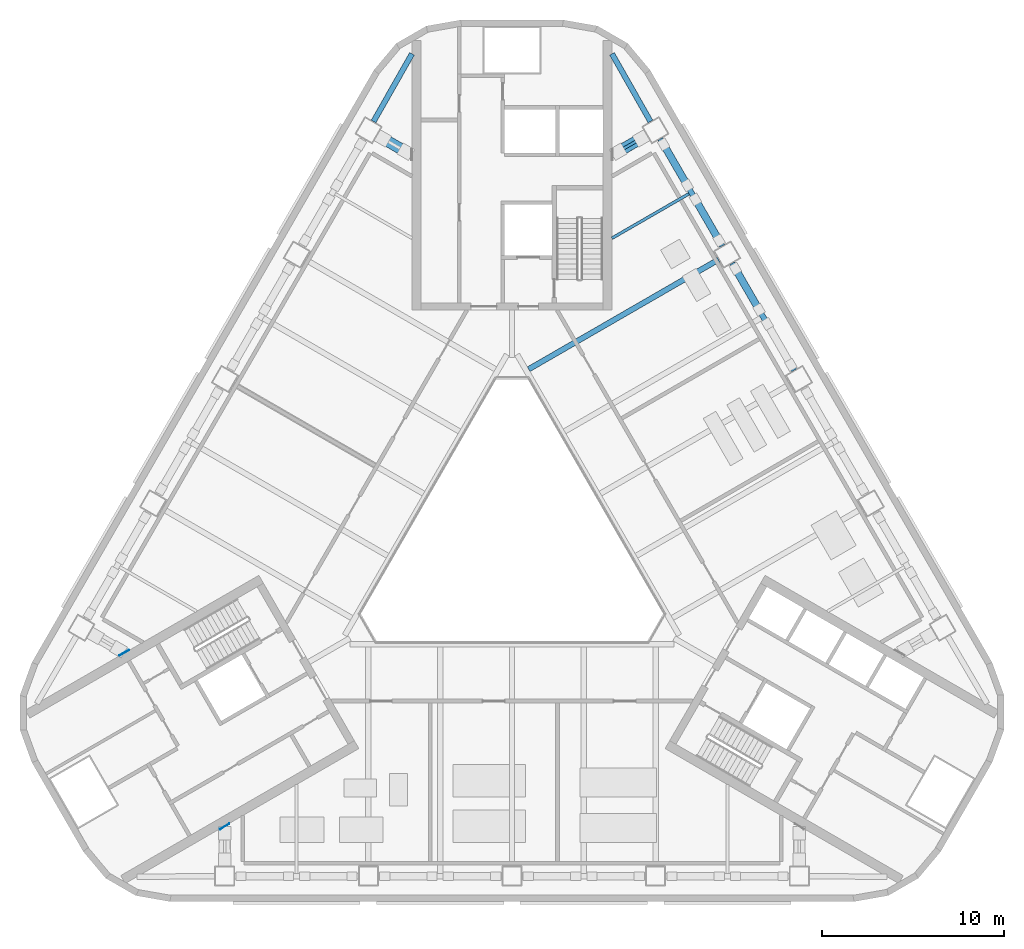
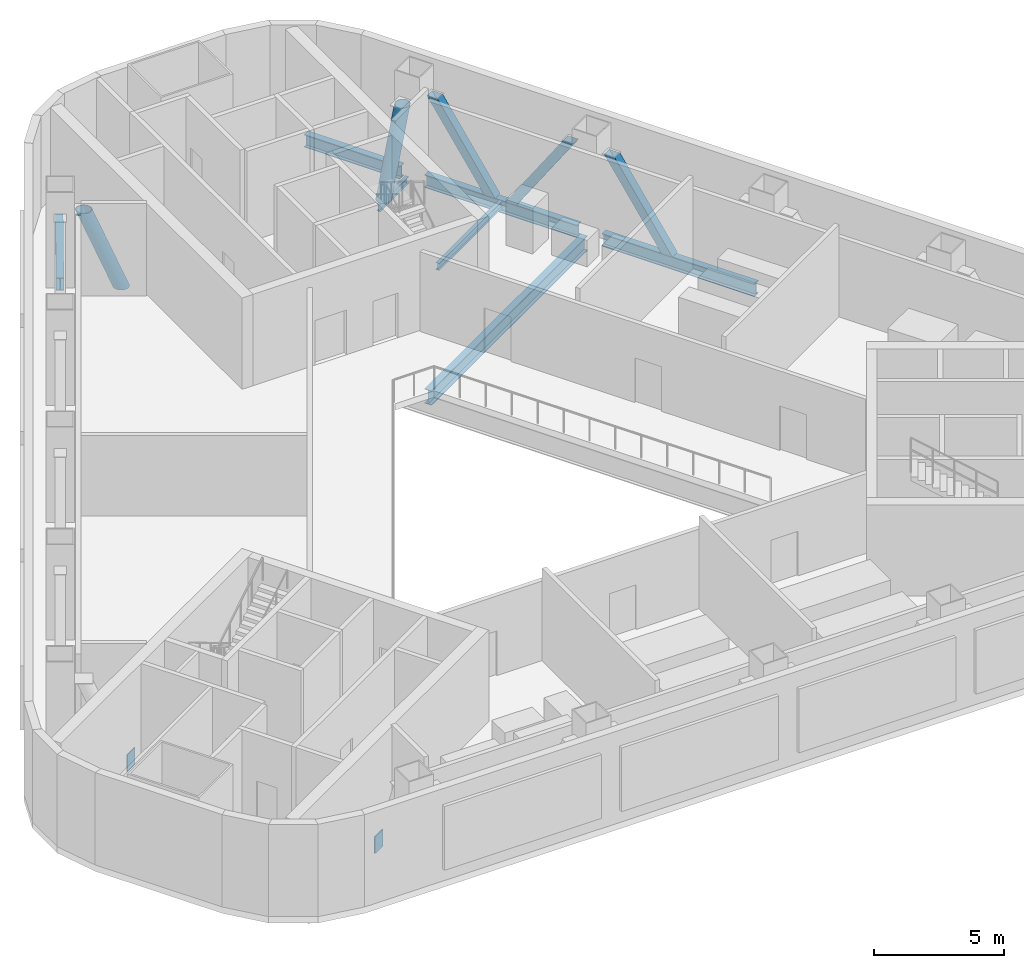
# One storey, part 3 of 14: 7 beams, 5 members, 2 plates.
"""IFC4 building model written with IfcOpenShell, lengths in metres."""

import ifcopenshell
import ifcopenshell.guid

model = None  # the IFC model being written
_history = None  # IfcOwnerHistory: only IFC2X3 demands one
_inside = {}  # id of a spatial element -> (the spatial element, [elements in it])
_under = {}  # id of a project, library or spatial element -> (it, [spatial elements below it])
_declared = {}  # id of a project -> (the project, [libraries it declares])
_typed = {}  # id of a type object -> (the type object, [elements of that type])
_made_of = {}  # id of a material, layer set ... -> (it, [elements and type objects made of it])


def new_model(schema):
    """Start an empty IFC model of exactly this schema.

    Asked for "IFC4X3", IfcOpenShell would pick the latest addendum, in which some entities
    have other attributes; the version numbers below select the first issue.
    IFC2X3 requires an IfcOwnerHistory on every rooted entity: one is made here for all.
    """
    global model, _history
    if schema == "IFC4X3":
        model = ifcopenshell.file(schema_version=(4, 3, 0, 0))
    else:
        model = ifcopenshell.file(schema=schema)
    _inside.clear()
    _under.clear()
    _declared.clear()
    _typed.clear()
    _made_of.clear()
    _history = None
    if model.schema == "IFC2X3":
        org = make("IfcOrganization", Name="unknown")
        user = make(
            "IfcPersonAndOrganization",
            ThePerson=make("IfcPerson", FamilyName="unknown"),
            TheOrganization=org,
        )
        app = make(
            "IfcApplication",
            ApplicationDeveloper=org,
            Version="unknown",
            ApplicationFullName="unknown",
            ApplicationIdentifier="unknown",
        )
        _history = make(
            "IfcOwnerHistory",
            OwningUser=user,
            OwningApplication=app,
            ChangeAction="ADDED",
            CreationDate=0,
        )
    return model


def make(cls, **values):
    """One entity of the class cls with the attributes given. An attribute that is None is left unset."""
    return model.create_entity(
        cls, **{name: value for name, value in values.items() if value is not None}
    )


def rooted(cls, **values):
    """An entity with a GlobalId (a new one), such as an element, a storey or a relation."""
    return make(cls, GlobalId=ifcopenshell.guid.new(), OwnerHistory=_history, **values)


def si_unit(unit_type, name, prefix=None):
    """IfcSIUnit, for example si_unit("LENGTHUNIT", "METRE", prefix="MILLI")."""
    return make("IfcSIUnit", UnitType=unit_type, Prefix=prefix, Name=name)


def assignment(units):
    """IfcUnitAssignment: the units of a project."""
    return None if units is None else make("IfcUnitAssignment", Units=units)


def point(xyz):
    """IfcCartesianPoint."""
    return None if xyz is None else make("IfcCartesianPoint", Coordinates=xyz)


def direction(xyz):
    """IfcDirection."""
    return None if xyz is None else make("IfcDirection", DirectionRatios=xyz)


def frame(location, z_axis=None, x_axis=None):
    """IfcAxis2Placement3D, a coordinate frame: its origin and axes. An axis left out is left unset."""
    return make(
        "IfcAxis2Placement3D",
        Location=point(location),
        Axis=direction(z_axis),
        RefDirection=direction(x_axis),
    )


def frame_2d(location, x_axis=None):
    """IfcAxis2Placement2D, a coordinate frame in the plane: its origin and x axis."""
    return make(
        "IfcAxis2Placement2D", Location=point(location), RefDirection=direction(x_axis)
    )


def origin():
    """The frame at (0, 0, 0) with its axes left unset."""
    return frame((0.0, 0.0, 0.0))


def origin_2d():
    """The frame at (0, 0) in the plane with its x axis left unset."""
    return frame_2d((0.0, 0.0))


def place(relative_to, where):
    """IfcLocalPlacement: puts the frame where relative to a parent placement (None: the world)."""
    return make(
        "IfcLocalPlacement", PlacementRelTo=relative_to, RelativePlacement=where
    )


def context(
    kind, dimensions, precision=None, world=None, true_north=None, identifier=None
):
    """IfcGeometricRepresentationContext, for example the 3D "Model" context."""
    return make(
        "IfcGeometricRepresentationContext",
        ContextIdentifier=identifier,
        ContextType=kind,
        CoordinateSpaceDimension=dimensions,
        Precision=precision,
        WorldCoordinateSystem=world,
        TrueNorth=true_north,
    )


def subcontext(parent, identifier, kind, view, scale=None):
    """IfcGeometricRepresentationSubContext, for example "Body" below "Model"."""
    return make(
        "IfcGeometricRepresentationSubContext",
        ContextIdentifier=identifier,
        ContextType=kind,
        ParentContext=parent,
        TargetScale=scale,
        TargetView=view,
    )


def project(units=None, contexts=None):
    """IfcProject with its units and contexts."""
    return rooted(
        "IfcProject",
        Name="project",
        RepresentationContexts=contexts,
        UnitsInContext=assignment(units),
    )


def spatial(cls, under=None, at=None, **own):
    """A site, building, storey or space (cls), placed at a placement, below another one or the project."""
    s = rooted(cls, ObjectPlacement=at, **own)
    if under is not None:
        _under.setdefault(under.id(), (under, []))[1].append(s)
    return s


def profile(cls, at=None, kind="AREA", **sizes):
    """A parametric profile (cls). Its sizes go by their IFC names, for example OverallWidth=200.0."""
    return make(cls, ProfileType=kind, Position=at, **sizes)


def rectangle(**sizes):
    """IfcRectangleProfileDef."""
    return profile("IfcRectangleProfileDef", **sizes)


def hollow_rectangle(**sizes):
    """IfcRectangleHollowProfileDef."""
    return profile("IfcRectangleHollowProfileDef", **sizes)


def hollow_circle(**sizes):
    """IfcCircleHollowProfileDef."""
    return profile("IfcCircleHollowProfileDef", **sizes)


def i_section(**sizes):
    """IfcIShapeProfileDef."""
    return profile("IfcIShapeProfileDef", **sizes)


def extrude(swept, where, along, depth):
    """IfcExtrudedAreaSolid: the profile swept, set in the frame where, extruded along a direction by depth."""
    return make(
        "IfcExtrudedAreaSolid",
        SweptArea=swept,
        Position=where,
        ExtrudedDirection=direction(along),
        Depth=depth,
    )


def boolean(op, a, b):
    """IfcBooleanResult of two solids."""
    return make("IfcBooleanResult", Operator=op, FirstOperand=a, SecondOperand=b)


def halfspace(plane, agree):
    """IfcHalfSpaceSolid: all space on one side of the plane z = 0 of the frame plane."""
    return make(
        "IfcHalfSpaceSolid",
        BaseSurface=make("IfcPlane", Position=plane),
        AgreementFlag=agree,
    )


def shape(context_of_items, identifier, shape_type, items):
    """IfcShapeRepresentation: the items that make up one representation, for example the "Body"."""
    return make(
        "IfcShapeRepresentation",
        ContextOfItems=context_of_items,
        RepresentationIdentifier=identifier,
        RepresentationType=shape_type,
        Items=items,
    )


def material(Name=None, Category=None):
    """IfcMaterial."""
    return make("IfcMaterial", Name=Name, Category=Category)


def layer(
    of_material, thickness, ventilated=None, Name=None, Category=None, Priority=None
):
    """IfcMaterialLayer: one layer of a wall or slab, of a material (None: an air gap)."""
    return make(
        "IfcMaterialLayer",
        Material=of_material,
        LayerThickness=thickness,
        IsVentilated=ventilated,
        Name=Name,
        Category=Category,
        Priority=Priority,
    )


def layer_set(layers, Name=None):
    """IfcMaterialLayerSet."""
    return make("IfcMaterialLayerSet", MaterialLayers=layers, LayerSetName=Name)


def material_profile(
    of_material, cross_section, Name=None, Category=None, Priority=None
):
    """IfcMaterialProfile: a cross section and its material."""
    return make(
        "IfcMaterialProfile",
        Name=Name,
        Material=of_material,
        Profile=cross_section,
        Priority=Priority,
        Category=Category,
    )


def profile_set(profiles, Name=None, composite=None):
    """IfcMaterialProfileSet."""
    return make(
        "IfcMaterialProfileSet",
        Name=Name,
        MaterialProfiles=profiles,
        CompositeProfile=composite,
    )


def made_of(thing, what):
    """Note that an element or type object is made of a material, layer set ...; save() writes the relation."""
    if what is not None:
        _made_of.setdefault(what.id(), (what, []))[1].append(thing)
    return thing


def type_object(cls, material=None, **own):
    """A type object (cls), such as IfcWallType, which elements share."""
    return made_of(rooted(cls, **own), material)


def element(
    cls,
    number,
    at=None,
    inside=None,
    cuts=None,
    type_object=None,
    material=None,
    context=None,
    identifier="Body",
    shape_type=None,
    held_by="IfcProductDefinitionShape",
    body=None,
    shapes=None,
    **own,
):
    """One element of the class cls, such as IfcWall. Its Tag is "e" and its number.

    at: its placement. inside: the storey or other place that contains it. cuts: it is an
    opening in that element (IfcRelVoidsElement). A single representation is given by context,
    identifier, shape_type and body (its items); several are given by shapes. held_by: the class
    of the entity that holds the representations. save() writes the other relations.
    """
    e = rooted(cls, Tag="e%d" % number, ObjectPlacement=at, **own)
    if body is not None:
        shapes = [shape(context, identifier, shape_type, body)]
    if shapes is not None:
        e.Representation = make(held_by, Representations=shapes)
    if inside is not None:
        _inside.setdefault(inside.id(), (inside, []))[1].append(e)
    if cuts is not None:
        rooted(
            "IfcRelVoidsElement", RelatingBuildingElement=cuts, RelatedOpeningElement=e
        )
    if type_object is not None:
        _typed.setdefault(type_object.id(), (type_object, []))[1].append(e)
    return made_of(e, material)


def aggregate(whole, parts):
    """IfcRelAggregates: a whole, such as a stair, and the parts it consists of."""
    return rooted("IfcRelAggregates", RelatingObject=whole, RelatedObjects=parts)


def save(model, path):
    """Write the relations noted so far, then the file.

    IfcRelAggregates (storeys below a building ...), IfcRelContainedInSpatialStructure (elements
    in a storey), IfcRelDefinesByType, IfcRelAssociatesMaterial and IfcRelDeclares: one each for
    every whole, place, type object, material and project.
    """
    for whole, parts in _under.values():
        aggregate(whole, parts)
    for where, things in _inside.values():
        rooted(
            "IfcRelContainedInSpatialStructure",
            RelatedElements=things,
            RelatingStructure=where,
        )
    for kind, things in _typed.values():
        rooted("IfcRelDefinesByType", RelatedObjects=things, RelatingType=kind)
    for what, things in _made_of.values():
        rooted("IfcRelAssociatesMaterial", RelatedObjects=things, RelatingMaterial=what)
    for by, libraries in _declared.values():
        rooted("IfcRelDeclares", RelatingContext=by, RelatedDefinitions=libraries)
    model.write(path)


model = new_model("IFC4")

# Units and contexts
model_context = context("Model", 3, precision=1e-05, world=origin(), true_north=direction((0.0, 1.0)))
body_context = subcontext(model_context, "Body", "Model", "MODEL_VIEW")
ifc_project = project(units=[si_unit("LENGTHUNIT", "METRE"), si_unit("AREAUNIT", "SQUARE_METRE"), si_unit("VOLUMEUNIT", "CUBIC_METRE"), si_unit("PLANEANGLEUNIT", "RADIAN"), si_unit("MASSUNIT", "GRAM", prefix="KILO")], contexts=[model_context])

# Site, building, storey
site_placement = place(None, origin())
site = spatial("IfcSite", under=ifc_project, at=site_placement, CompositionType="ELEMENT")
building_placement = place(site_placement, origin())
building = spatial("IfcBuilding", under=site, at=building_placement, Name="Apuvela Tower Hotel", CompositionType="ELEMENT")
storey_placement = place(building_placement, frame((0.0, 0.0, 42.0)))
storey = spatial("IfcBuildingStorey", under=building, at=storey_placement, Name="L07 Plant", CompositionType="ELEMENT", Elevation=42.0)

# Beams
ifc_material = material(Name="Steel S355", Category="steel")
ifc_material_profile_1 = material_profile(ifc_material, i_section(OverallWidth=0.300048828125, OverallDepth=0.68994140625, WebThickness=0.014404296875, FlangeThickness=0.027099609375, at=origin_2d()), Name="HE 700 A")
ifc_profile_set_1 = profile_set([ifc_material_profile_1], Name="Steel S355")
beam_type_1 = type_object("IfcBeamType", Name="STR-B floor beam HE 700 A", PredefinedType="BEAM", material=ifc_profile_set_1)
beam_1_placement = place(storey_placement, frame((11.361328125, 15.681640625, -0.64501953125), z_axis=(-0.866025430648, -0.499999953472, 0.0), x_axis=(0.499999953472, -0.866025430648, 0.0)))
element("IfcBeam", 1, at=beam_1_placement, inside=storey, type_object=beam_type_1, Name="Floor beam B6 NE7", PredefinedType="BEAM", context=body_context, shape_type="SweptSolid", body=[
    extrude(i_section(OverallWidth=0.300048828125, OverallDepth=0.68994140625, WebThickness=0.014404296875, FlangeThickness=0.027099609375, at=origin_2d()), origin(), (0.0, 0.0, 1.0), 12.05810546875),
])
ifc_material_profile_2 = material_profile(ifc_material, i_section(OverallWidth=0.159912109375, OverallDepth=0.330078125, WebThickness=0.007568359375, FlangeThickness=0.011474609375, at=origin_2d()), Name="IPE 330")
ifc_profile_set_2 = profile_set([ifc_material_profile_2], Name="Steel S355")
beam_type_2 = type_object("IfcBeamType", Name="STR-B floor beam IPE 330", PredefinedType="BEAM", material=ifc_profile_set_2)
beam_2_placement = place(storey_placement, frame((9.732666015625, 19.302490234375, -0.465087890625), z_axis=(-0.866015056278, -0.500017921979, 0.0), x_axis=(0.500017921979, -0.866015056278, 0.0)))
element("IfcBeam", 2, at=beam_2_placement, inside=storey, type_object=beam_type_2, Name="Floor beam B1 NE8", PredefinedType="BEAM", context=body_context, shape_type="SweptSolid", body=[
    extrude(i_section(OverallWidth=0.159912109375, OverallDepth=0.330078125, WebThickness=0.007568359375, FlangeThickness=0.011474609375, at=origin_2d()), origin(), (0.0, 0.0, 1.0), 4.887451171875),
])
beam_3_placement = place(storey_placement, frame((7.411376953125, 22.523193359375, -0.465087890625), z_axis=(-0.866029008523, -0.499993756358, 0.0), x_axis=(0.499993756358, -0.866029008523, 0.0)))
element("IfcBeam", 3, at=beam_3_placement, inside=storey, type_object=beam_type_2, Name="Floor beam B1 NE9", PredefinedType="BEAM", context=body_context, shape_type="SweptSolid", body=[
    extrude(i_section(OverallWidth=0.159912109375, OverallDepth=0.330078125, WebThickness=0.007568359375, FlangeThickness=0.011474609375, at=origin_2d()), origin(), (0.0, 0.0, 1.0), 2.20703125),
])
ifc_material_profile_3 = material_profile(ifc_material, i_section(OverallWidth=0.300048828125, OverallDepth=0.60009765625, WebThickness=0.015380859375, FlangeThickness=0.030029296875, at=origin_2d()), Name="HE 600 B")
ifc_profile_set_3 = profile_set([ifc_material_profile_3], Name="Steel S355")
beam_type_3 = type_object("IfcBeamType", Name="STR-SB spandrel beam HE 600 B", PredefinedType="SPANDREL", material=ifc_profile_set_3)
for number, where, z_axis, x_axis, name in (
    (4, (15.5126953125, 9.59130859375, -0.60009765625), (-0.500019768644, 0.866013990052, 0.0), (-0.866013990052, -0.500019768644, 0.0), "Spandrel beam SB1 NE3"),
    (5, (11.5625, 16.432861328125, -0.60009765625), (-0.499977295307, 0.866038511948, 0.0), (-0.866038511948, -0.499977295307, 0.0), "Spandrel beam SB1 NE4"),
):
    element("IfcBeam", number, at=place(storey_placement, frame(where, z_axis=z_axis, x_axis=x_axis)), inside=storey, type_object=beam_type_3, Name=name, PredefinedType="SPANDREL", context=body_context, shape_type="SweptSolid", body=[
        extrude(i_section(OverallWidth=0.300048828125, OverallDepth=0.60009765625, WebThickness=0.015380859375, FlangeThickness=0.030029296875, at=origin_2d()), origin(), (0.0, 0.0, 1.0), 6.800048828125),
    ])
for number, where, z_axis, x_axis, name in (
    (6, (7.615966796875, 23.2763671875, -0.60009765625), (-0.494056417086, 0.869429845782, 0.0), (-0.869429845782, -0.494056417086, 0.0), "Spandrel beam SB1 NE5-N"),
    (7, (-7.615966796875, 23.2763671875, -0.60009765625), (0.494056417086, 0.869429845782, 0.0), (-0.869429845782, 0.494056417086, 0.0), "Spandrel beam SB1 NW1-N"),
):
    element("IfcBeam", number, at=place(storey_placement, frame(where, z_axis=z_axis, x_axis=x_axis)), inside=storey, type_object=beam_type_3, Name=name, PredefinedType="SPANDREL", context=body_context, shape_type="SweptSolid", body=[
        extrude(i_section(OverallWidth=0.300048828125, OverallDepth=0.60009765625, WebThickness=0.015380859375, FlangeThickness=0.030029296875, at=origin_2d()), origin(), (0.0, 0.0, 1.0), 4.282958984375),
    ])

# Members
ifc_material_profile_4 = material_profile(ifc_material, hollow_rectangle(XDim=0.39990234375, YDim=0.39990234375, WallThickness=0.02001953125, at=origin_2d()), Name="SHS 400x400x20")
ifc_profile_set_4 = profile_set([ifc_material_profile_4], Name="Steel S355")
member_type_1 = type_object("IfcMemberType", Name="STR-T0 belt truss diagonal SHS 400x400x20", PredefinedType="BRACE", material=ifc_profile_set_4)
member_1_placement = place(storey_placement, frame((13.587646484375, 12.925537109375, -0.300048828125), z_axis=(-0.280540611432, 0.485901607369, 0.827766025694), x_axis=(0.413888752903, -0.716863092587, 0.561073441455)))
solid_1 = boolean("DIFFERENCE", boolean("DIFFERENCE", extrude(hollow_rectangle(XDim=0.39990234375, YDim=0.39990234375, WallThickness=0.02001953125, at=origin_2d()), frame((0.0, 0.0, -0.255615234375)), (0.0, 0.0, 1.0), 5.145263671875), halfspace(frame((0.0, 0.0, 0.024169921875), z_axis=(0.561073441455, 0.0, 0.827766025694), x_axis=(0.827766025694, 0.0, -0.561073441455)), True)), halfspace(frame((0.0, 0.0, 4.610107421875), z_axis=(0.561073441455, 0.0, 0.827766025694), x_axis=(0.827766025694, 0.0, -0.561073441455)), False))
element("IfcMember", 8, at=member_1_placement, inside=storey, type_object=member_type_1, Name="Belt truss diagonal BR1 NE3", PredefinedType="BRACE", context=body_context, shape_type="SweptSolid", body=[
    boolean("UNION", boolean("DIFFERENCE", boolean("DIFFERENCE", extrude(hollow_rectangle(XDim=0.39990234375, YDim=0.39990234375, WallThickness=0.02001953125, at=origin_2d()), origin(), (0.0, 0.0, 1.0), 4.634033203125), halfspace(frame((0.0, 0.0, 0.024169921875), z_axis=(0.561073441455, 0.0, 0.827766025694), x_axis=(0.827766025694, 0.0, -0.561073441455)), True)), halfspace(frame((0.0, 0.0, 4.610107421875), z_axis=(0.561073441455, 0.0, 0.827766025694), x_axis=(0.827766025694, 0.0, -0.561073441455)), False)), solid_1),
])
member_2_placement = place(storey_placement, frame((10.087646484375, 18.98779296875, -0.300048828125), z_axis=(0.280540611432, -0.485901607369, 0.827766025694), x_axis=(-0.413888752903, 0.716863092587, 0.561073441455)))
solid_2 = boolean("DIFFERENCE", boolean("DIFFERENCE", extrude(hollow_rectangle(XDim=0.39990234375, YDim=0.39990234375, WallThickness=0.02001953125, at=origin_2d()), frame((0.0, 0.0, -0.255615234375)), (0.0, 0.0, 1.0), 5.145263671875), halfspace(frame((0.0, 0.0, 0.024169921875), z_axis=(0.561073441455, 0.0, 0.827766025694), x_axis=(0.827766025694, 0.0, -0.561073441455)), True)), halfspace(frame((0.0, 0.0, 4.610107421875), z_axis=(0.561073441455, 0.0, 0.827766025694), x_axis=(0.827766025694, 0.0, -0.561073441455)), False))
element("IfcMember", 9, at=member_2_placement, inside=storey, type_object=member_type_1, Name="Belt truss diagonal BR1 NE4", PredefinedType="BRACE", context=body_context, shape_type="SweptSolid", body=[
    boolean("UNION", boolean("DIFFERENCE", boolean("DIFFERENCE", extrude(hollow_rectangle(XDim=0.39990234375, YDim=0.39990234375, WallThickness=0.02001953125, at=origin_2d()), origin(), (0.0, 0.0, 1.0), 4.634033203125), halfspace(frame((0.0, 0.0, 0.024169921875), z_axis=(0.561073441455, 0.0, 0.827766025694), x_axis=(0.827766025694, 0.0, -0.561073441455)), True)), halfspace(frame((0.0, 0.0, 4.610107421875), z_axis=(0.561073441455, 0.0, 0.827766025694), x_axis=(0.827766025694, 0.0, -0.561073441455)), False)), solid_2),
])
member_3_placement = place(storey_placement, frame((9.6376953125, 19.76708984375, -0.300048828125), z_axis=(-0.280540611432, 0.485901607369, 0.827766025694), x_axis=(0.413888752903, -0.716863092587, 0.561073441455)))
solid_3 = boolean("DIFFERENCE", boolean("DIFFERENCE", extrude(hollow_rectangle(XDim=0.39990234375, YDim=0.39990234375, WallThickness=0.02001953125, at=origin_2d()), frame((0.0, 0.0, -0.255615234375)), (0.0, 0.0, 1.0), 5.145263671875), halfspace(frame((0.0, 0.0, 0.024169921875), z_axis=(0.561073441455, 0.0, 0.827766025694), x_axis=(0.827766025694, 0.0, -0.561073441455)), True)), halfspace(frame((0.0, 0.0, 4.610107421875), z_axis=(0.561073441455, 0.0, 0.827766025694), x_axis=(0.827766025694, 0.0, -0.561073441455)), False))
element("IfcMember", 10, at=member_3_placement, inside=storey, type_object=member_type_1, Name="Belt truss diagonal BR1 NE4", PredefinedType="BRACE", context=body_context, shape_type="SweptSolid", body=[
    boolean("UNION", boolean("DIFFERENCE", boolean("DIFFERENCE", extrude(hollow_rectangle(XDim=0.39990234375, YDim=0.39990234375, WallThickness=0.02001953125, at=origin_2d()), origin(), (0.0, 0.0, 1.0), 4.634033203125), halfspace(frame((0.0, 0.0, 0.024169921875), z_axis=(0.561073441455, 0.0, 0.827766025694), x_axis=(0.827766025694, 0.0, -0.561073441455)), True)), halfspace(frame((0.0, 0.0, 4.610107421875), z_axis=(0.561073441455, 0.0, 0.827766025694), x_axis=(0.827766025694, 0.0, -0.561073441455)), False)), solid_3),
])
ifc_material_profile_5 = material_profile(ifc_material, hollow_circle(Radius=0.304931640625, WallThickness=0.02490234375, at=origin_2d()), Name="CHS 610x25")
ifc_profile_set_5 = profile_set([ifc_material_profile_5], Name="Steel S355")
member_type_2 = type_object("IfcMemberType", Name="STR-T0 outrigger truss diagonal CHS 610x25", PredefinedType="BRACE", material=ifc_profile_set_5)
member_4_placement = place(storey_placement, frame((5.843017578125, 21.617919921875, -0.300048828125), z_axis=(0.322401161297, 0.186086814635, 0.928132096532), x_axis=(-0.803841657977, -0.463969586841, 0.372251005891)))
solid_4 = boolean("DIFFERENCE", boolean("DIFFERENCE", extrude(hollow_circle(Radius=0.304931640625, WallThickness=0.02490234375, at=origin_2d()), frame((0.0, 0.0, -0.2421875)), (0.0, 0.0, 1.0), 4.40869140625), halfspace(frame((0.0, 0.0, 0.021484375), z_axis=(0.372251005891, 0.0, 0.928132096532), x_axis=(0.928132096532, 0.0, -0.372251005891)), True)), halfspace(frame((0.0, 0.0, 3.902587890625), z_axis=(0.372251005891, 0.0, 0.928132096532), x_axis=(0.928132096532, 0.0, -0.372251005891)), False))
element("IfcMember", 11, at=member_4_placement, inside=storey, type_object=member_type_2, Name="Outrigger diagonal OD1 NE5", PredefinedType="BRACE", context=body_context, shape_type="SweptSolid", body=[
    boolean("UNION", boolean("DIFFERENCE", boolean("DIFFERENCE", extrude(hollow_circle(Radius=0.304931640625, WallThickness=0.02490234375, at=origin_2d()), origin(), (0.0, 0.0, 1.0), 3.924072265625), halfspace(frame((0.0, 0.0, 0.021484375), z_axis=(0.372251005891, 0.0, 0.928132096532), x_axis=(0.928132096532, 0.0, -0.372251005891)), True)), halfspace(frame((0.0, 0.0, 3.902587890625), z_axis=(0.372251005891, 0.0, 0.928132096532), x_axis=(0.928132096532, 0.0, -0.372251005891)), False)), solid_4),
])
member_5_placement = place(storey_placement, frame((-5.843017578125, 21.617919921875, -0.300048828125), z_axis=(-0.322401161297, 0.186086814635, 0.928132096532), x_axis=(0.803841657977, -0.463969586841, 0.372251005891)))
solid_5 = boolean("DIFFERENCE", boolean("DIFFERENCE", extrude(hollow_circle(Radius=0.304931640625, WallThickness=0.02490234375, at=origin_2d()), frame((0.0, 0.0, -0.2421875)), (0.0, 0.0, 1.0), 4.40869140625), halfspace(frame((0.0, 0.0, 0.021484375), z_axis=(0.372251005891, 0.0, 0.928132096532), x_axis=(0.928132096532, 0.0, -0.372251005891)), True)), halfspace(frame((0.0, 0.0, 3.902587890625), z_axis=(0.372251005891, 0.0, 0.928132096532), x_axis=(0.928132096532, 0.0, -0.372251005891)), False))
element("IfcMember", 12, at=member_5_placement, inside=storey, type_object=member_type_2, Name="Outrigger diagonal OD1 NW1", PredefinedType="BRACE", context=body_context, shape_type="SweptSolid", body=[
    boolean("UNION", boolean("DIFFERENCE", boolean("DIFFERENCE", extrude(hollow_circle(Radius=0.304931640625, WallThickness=0.02490234375, at=origin_2d()), origin(), (0.0, 0.0, 1.0), 3.924072265625), halfspace(frame((0.0, 0.0, 0.021484375), z_axis=(0.372251005891, 0.0, 0.928132096532), x_axis=(0.928132096532, 0.0, -0.372251005891)), True)), halfspace(frame((0.0, 0.0, 3.902587890625), z_axis=(0.372251005891, 0.0, 0.928132096532), x_axis=(0.928132096532, 0.0, -0.372251005891)), False)), solid_5),
])

# Plates
ifc_layer = layer(ifc_material, 0.0400390625)
ifc_layer_set = layer_set([ifc_layer], Name="STR-CP 40 Steel S355")
plate_type = type_object("IfcPlateType", Name="STR-CP 40 Steel S355", PredefinedType="SHEET", material=ifc_layer_set)
for number, where, z_axis, x_axis, name in (
    (13, (-21.330078125, -5.94091796875, -0.865234375), (0.0, 0.0, 1.0), (0.5, -0.866025403784, 0.0), "Cast-in plate CP-T0-76 40"),
    (14, (-15.81005859375, -15.501953125, -0.865234375), (0.0, 0.0, 1.0), (-0.5, 0.866025403784, 0.0), "Cast-in plate CP-T0-77 40"),
):
    element("IfcPlate", number, at=place(storey_placement, frame(where, z_axis=z_axis, x_axis=x_axis)), inside=storey, type_object=plate_type, Name=name, PredefinedType="SHEET", context=body_context, shape_type="SweptSolid", body=[
        extrude(rectangle(XDim=0.0400390625, YDim=0.60009765625, at=origin_2d()), origin(), (0.0, 0.0, 1.0), 0.800048828125),
    ])

save(model, "model.ifc")
